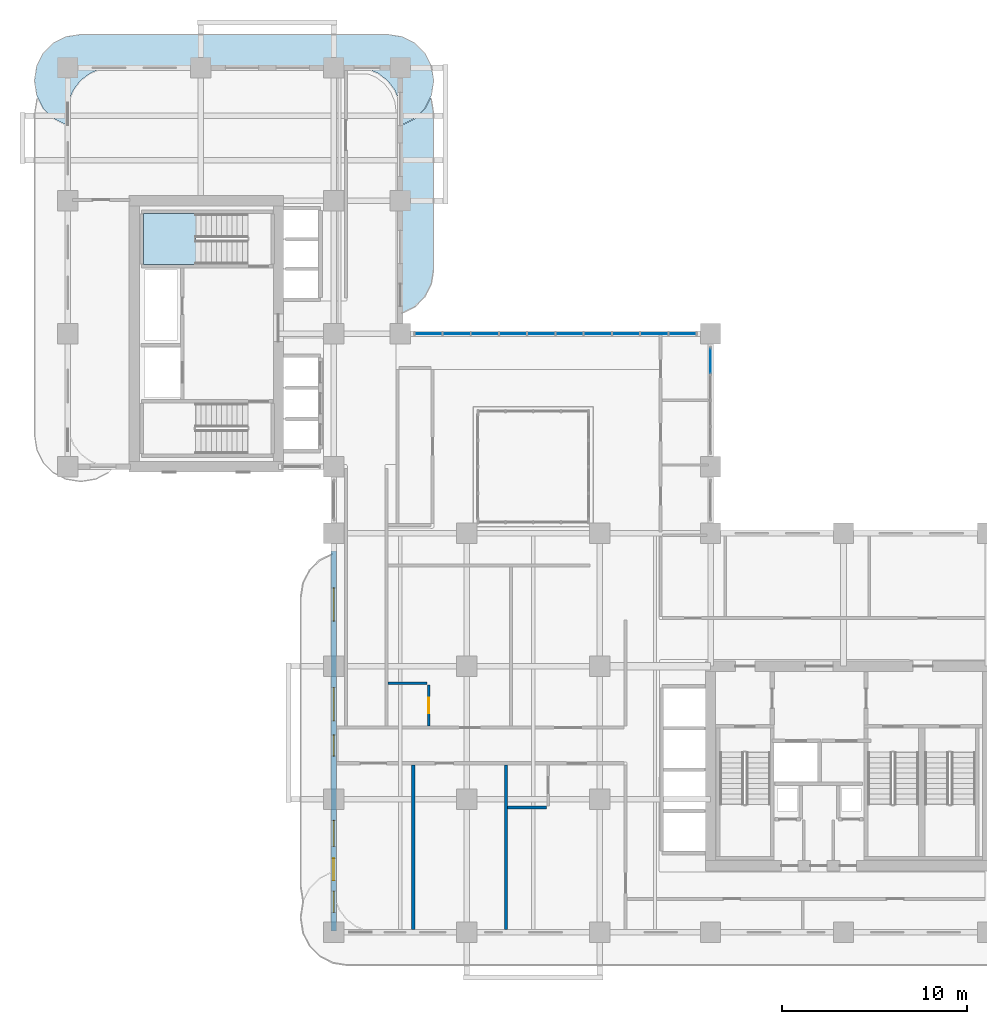
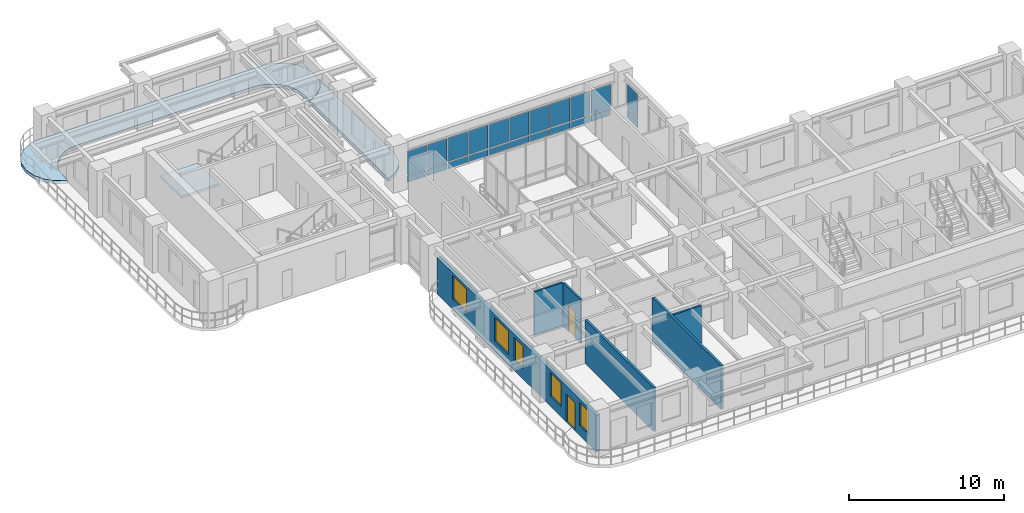
# One storey, part 11 of 22: 22 plates, 6 walls, 5 windows, 3 slabs, 2 doors, 7 openings, 3 elements without a shape of their own.
"""IFC4 building model written with IfcOpenShell, lengths in metres."""

from ifc_helpers import new_model, si_unit, derived_unit, direction, frame, frame_2d, origin, origin_2d, place, context, subcontext, project, spatial, polyline, rectangle, outline, extrude, source, transform, mapped, material, layer, layer_set, type_object, type_shapes, element, fill, aggregate, save


model = new_model("IFC4")

# Units and contexts
model_context = context("Model", 3, precision=1e-05, world=origin(), true_north=direction((0.0, 1.0)))
body_context = subcontext(model_context, "Body", "Model", "MODEL_VIEW")
ifc_project = project(units=[si_unit("LENGTHUNIT", "METRE"), si_unit("AREAUNIT", "SQUARE_METRE"), si_unit("VOLUMEUNIT", "CUBIC_METRE"), si_unit("PLANEANGLEUNIT", "RADIAN"), si_unit("MASSUNIT", "GRAM", prefix="KILO"), si_unit("THERMODYNAMICTEMPERATUREUNIT", "KELVIN"), si_unit("POWERUNIT", "WATT"), derived_unit("THERMALTRANSMITTANCEUNIT", [(si_unit("POWERUNIT", "WATT"), 1), (si_unit("AREAUNIT", "SQUARE_METRE"), -1), (si_unit("THERMODYNAMICTEMPERATUREUNIT", "KELVIN"), -1)])], contexts=[model_context])

# Site, building, storey
site_placement = place(None, origin())
site = spatial("IfcSite", under=ifc_project, at=site_placement, CompositionType="ELEMENT")
building_placement = place(site_placement, origin())
building = spatial("IfcBuilding", under=site, at=building_placement, Name="Zahravan Archway Hotel and Residences", CompositionType="ELEMENT")
storey_placement = place(building_placement, frame((0.0, 0.0, 95.300048828125)))
storey = spatial("IfcBuildingStorey", under=building, at=storey_placement, Name="L23", CompositionType="ELEMENT", Elevation=95.300048828125)

# Slabs
ifc_material_1 = material(Name="Concrete C45/55", Category="concrete")
ifc_layer_1 = layer(ifc_material_1, 0.25, Name="Concrete C45/55", Category="concrete")
ifc_layer_set_1 = layer_set([ifc_layer_1], Name="Concrete C45/55")
slab_type_1 = type_object("IfcSlabType", Name="SLB-BALC-250", PredefinedType="FLOOR", material=ifc_layer_set_1)
slab_1_placement = place(storey_placement, frame((0.0, 0.0, -0.25)))
element("IfcSlab", 1, at=slab_1_placement, inside=storey, type_object=slab_type_1, Name="L23 Wing B North Rounded Balcony Band", PredefinedType="FLOOR", context=body_context, shape_type="SweptSolid", body=[
    extrude(outline(polyline([(-0.107177734375, 43.719970703125), (-0.7900390625, 44.06787109375), (-1.33203125, 44.60986328125), (-1.68017578125, 45.29296875), (-1.800048828125, 46.050048828125), (-1.800048828125, 46.14990234375), (-1.68017578125, 46.906982421875), (-1.33203125, 47.590087890625), (-0.7900390625, 48.132080078125), (-0.107177734375, 48.47998046875), (0.64990234375, 48.60009765625), (17.35009765625, 48.60009765625), (18.107177734375, 48.47998046875), (18.7900390625, 48.132080078125), (19.33203125, 47.590087890625), (19.68017578125, 46.906982421875), (19.800048828125, 46.14990234375), (19.800048828125, 46.050048828125), (19.68017578125, 45.29296875), (19.33203125, 44.60986328125), (18.7900390625, 44.06787109375), (18.107177734375, 43.719970703125), (18.02001953125, 43.7060546875), (18.02001953125, 44.39990234375), (18.019775390625, 44.402587890625), (17.93798828125, 45.023681640625), (17.937744140625, 45.025390625), (17.937255859375, 45.027099609375), (17.936767578125, 45.02880859375), (17.697021484375, 45.607666015625), (17.6962890625, 45.609130859375), (17.6953125, 45.610595703125), (17.6943359375, 45.6123046875), (17.31298828125, 46.109375), (17.311767578125, 46.110595703125), (17.310546875, 46.11181640625), (17.309326171875, 46.113037109375), (16.812255859375, 46.494384765625), (16.810791015625, 46.495361328125), (16.80908203125, 46.49609375), (16.8076171875, 46.4970703125), (16.22900390625, 46.73681640625), (16.227294921875, 46.7373046875), (16.2255859375, 46.73779296875), (16.223876953125, 46.738037109375), (15.6025390625, 46.81982421875), (15.60009765625, 46.820068359375), (2.39990234375, 46.820068359375), (2.3974609375, 46.81982421875), (1.776123046875, 46.738037109375), (1.7744140625, 46.73779296875), (1.772705078125, 46.7373046875), (1.77099609375, 46.73681640625), (1.1923828125, 46.4970703125), (1.19091796875, 46.49609375), (1.189208984375, 46.495361328125), (1.187744140625, 46.494384765625), (0.690673828125, 46.113037109375), (0.689453125, 46.11181640625), (0.688232421875, 46.110595703125), (0.68701171875, 46.109375), (0.3056640625, 45.6123046875), (0.3046875, 45.610595703125), (0.3037109375, 45.609130859375), (0.302978515625, 45.607666015625), (0.063232421875, 45.02880859375), (0.062744140625, 45.027099609375), (0.062255859375, 45.025390625), (0.06201171875, 45.023681640625), (-0.019775390625, 44.402587890625), (-0.02001953125, 44.39990234375), (-0.02001953125, 43.7060546875), (-0.107177734375, 43.719970703125)])), origin(), (0.0, 0.0, 1.0), 0.25),
])
slab_2_placement = place(storey_placement, frame((0.0, 0.0, -0.25)))
element("IfcSlab", 2, at=slab_2_placement, inside=storey, type_object=slab_type_1, Name="L23 Wing B East Rounded Balcony Band", PredefinedType="FLOOR", context=body_context, shape_type="SweptSolid", body=[
    extrude(outline(polyline([(19.68017578125, 45.107177734375), (19.800048828125, 44.35009765625), (19.800048828125, 35.85009765625), (19.68017578125, 35.093017578125), (19.33203125, 34.409912109375), (18.7900390625, 33.867919921875), (18.107177734375, 33.52001953125), (18.02001953125, 33.506103515625), (18.02001953125, 43.68603515625), (18.021240234375, 43.68603515625), (18.023193359375, 43.686279296875), (18.110107421875, 43.7001953125), (18.1123046875, 43.70068359375), (18.1142578125, 43.701171875), (18.1162109375, 43.7021484375), (18.79931640625, 44.050048828125), (18.801025390625, 44.051025390625), (18.802734375, 44.052490234375), (18.80419921875, 44.0537109375), (19.34619140625, 44.595703125), (19.34765625, 44.597412109375), (19.348876953125, 44.59912109375), (19.349853515625, 44.600830078125), (19.64404296875, 45.177978515625), (19.68017578125, 45.107177734375)])), origin(), (0.0, 0.0, 1.0), 0.25),
])

# Stair, slab
ifc_material_2 = material(Name="Concrete C50/60", Category="concrete")
stair_type = type_object("IfcStairType", Name="STR-CORE-1300", PredefinedType="HALF_TURN_STAIR", material=ifc_material_2)
stair_placement = place(storey_placement, origin())
stair = element("IfcStair", 3, at=stair_placement, inside=storey, type_object=stair_type, Name="L23 Core B Exit Stair 2", PredefinedType="HALF_TURN_STAIR")
ifc_layer_2 = layer(ifc_material_2, 0.199951171875, Name="Concrete C50/60", Category="concrete")
ifc_layer_set_2 = layer_set([ifc_layer_2], Name="Concrete C50/60")
slab_type_2 = type_object("IfcSlabType", Name="SLB-LND-200", PredefinedType="LANDING", material=ifc_layer_set_2)
slab_3_placement = place(storey_placement, frame((0.0, 0.0, 1.64990234375)))
slab_3 = element("IfcSlab", 4, at=slab_3_placement, type_object=slab_type_2, Name="ST-B2 landing 1", PredefinedType="LANDING", context=body_context, shape_type="SweptSolid", body=[
    extrude(outline(polyline([(6.929931640625, 38.89990234375), (4.10009765625, 38.89990234375), (4.10009765625, 36.159912109375), (6.929931640625, 36.159912109375), (6.929931640625, 38.89990234375)])), origin(), (0.0, 0.0, 1.0), 0.199951171875),
])
aggregate(stair, [slab_3])

# Curtain wall, plates
ifc_material_3 = material(Name="Bronze-Anodized Unitised Aluminium & Low-E Glass", Category="aluminium")
ifc_layer_3 = layer(ifc_material_3, 0.179931640625, Name="Bronze-Anodized Unitised Aluminium & Low-E Glass", Category="aluminium")
ifc_layer_set_3 = layer_set([ifc_layer_3], Name="Bronze-Anodized Unitised Aluminium & Low-E Glass")
curtain_wall_type = type_object("IfcCurtainWallType", Name="CW-ATR-GLAZ", PredefinedType="NOTDEFINED", material=ifc_layer_set_3)
curtain_wall_1_placement = place(storey_placement, origin())
curtain_wall_1 = element("IfcCurtainWall", 5, at=curtain_wall_1_placement, inside=storey, type_object=curtain_wall_type, Name="L23 Curtain Wall CW-L23-HNG-E-2", PredefinedType="NOTDEFINED")
ifc_material_4 = material(Name="Insulated Terracotta Spandrel Panel", Category="masonry")
ifc_layer_4 = layer(ifc_material_4, 0.0400390625, Name="Insulated Terracotta Spandrel Panel", Category="masonry")
ifc_layer_set_4 = layer_set([ifc_layer_4], Name="Insulated Terracotta Spandrel Panel")
plate_type_1 = type_object("IfcPlateType", Name="CWP-SPN-40", PredefinedType="SHEET", material=ifc_layer_set_4)
shared_shape_1 = source(origin(), body_context, "Body", "SweptSolid", [
    extrude(rectangle(XDim=1.340087890625, YDim=0.0400390625, at=origin_2d()), origin(), (0.0, 0.0, 1.0), 0.552490234375),
])
plate_1_placement = place(storey_placement, frame((34.800048828125, 30.929931640625, 0.10009765625), z_axis=(0.0, 0.0, 1.0), x_axis=(0.0, 1.0, 0.0)))
plate_1 = element("IfcPlate", 6, at=plate_1_placement, type_object=plate_type_1, Name="CW-L23-HNG-E-2 Spandrel Panel 3", PredefinedType="SHEET", context=body_context, shape_type="MappedRepresentation", body=[
    mapped(shared_shape_1, transform((0.0, 0.0, 0.0), scale=1.0)),
])
ifc_material_5 = material(Name="Double-Silver Low-E Insulated Vision Glass", Category="glass")
ifc_layer_5 = layer(ifc_material_5, 0.028076171875, Name="Double-Silver Low-E Insulated Vision Glass", Category="glass")
ifc_layer_set_5 = layer_set([ifc_layer_5], Name="Double-Silver Low-E Insulated Vision Glass")
plate_type_2 = type_object("IfcPlateType", Name="CWP-GLZ-28", PredefinedType="CURTAIN_PANEL", material=ifc_layer_set_5)
shared_shape_2 = source(origin(), body_context, "Body", "SweptSolid", [
    extrude(rectangle(XDim=1.340087890625, YDim=0.028076171875, at=origin_2d()), origin(), (0.0, 0.0, 1.0), 2.052490234375),
])
plate_2_placement = place(storey_placement, frame((34.800048828125, 30.929931640625, 0.732421875), z_axis=(0.0, 0.0, 1.0), x_axis=(0.0, 1.0, 0.0)))
plate_2 = element("IfcPlate", 7, at=plate_2_placement, type_object=plate_type_2, Name="CW-L23-HNG-E-2 Low-E Vision Panel 3", PredefinedType="CURTAIN_PANEL", context=body_context, shape_type="MappedRepresentation", body=[
    mapped(shared_shape_2, transform((0.0, 0.0, 0.0), scale=1.0)),
])
aggregate(curtain_wall_1, [plate_1, plate_2])

curtain_wall_2_placement = place(storey_placement, origin())
curtain_wall_2 = element("IfcCurtainWall", 8, at=curtain_wall_2_placement, inside=storey, type_object=curtain_wall_type, Name="L23 Curtain Wall CW-L23-HNG-N-1", PredefinedType="NOTDEFINED")
shared_shape_3 = source(origin(), body_context, "Body", "SweptSolid", [
    extrude(rectangle(XDim=1.447998046875, YDim=0.0400390625, at=origin_2d()), origin(), (0.0, 0.0, 1.0), 0.492431640625),
])
plate_3_placement = place(storey_placement, frame((19.52392578125, 32.39990234375, 0.10009765625), z_axis=(0.0, 0.0, 1.0), x_axis=(1.0, 0.0, 0.0)))
plate_3 = element("IfcPlate", 9, at=plate_3_placement, type_object=plate_type_1, Name="CW-L23-HNG-N-1 Spandrel Panel 0", PredefinedType="SHEET", context=body_context, shape_type="MappedRepresentation", body=[
    mapped(shared_shape_3, transform((0.0, 0.0, 0.0), scale=1.0)),
])
plate_4_placement = place(storey_placement, frame((21.052001953125, 32.39990234375, 0.10009765625), z_axis=(0.0, 0.0, 1.0), x_axis=(1.0, 0.0, 0.0)))
plate_4 = element("IfcPlate", 10, at=plate_4_placement, type_object=plate_type_1, Name="CW-L23-HNG-N-1 Spandrel Panel 1", PredefinedType="SHEET", context=body_context, shape_type="MappedRepresentation", body=[
    mapped(shared_shape_3, transform((0.0, 0.0, 0.0), scale=1.0)),
])
plate_5_placement = place(storey_placement, frame((22.580078125, 32.39990234375, 0.10009765625), z_axis=(0.0, 0.0, 1.0), x_axis=(1.0, 0.0, 0.0)))
plate_5 = element("IfcPlate", 11, at=plate_5_placement, type_object=plate_type_1, Name="CW-L23-HNG-N-1 Spandrel Panel 2", PredefinedType="SHEET", context=body_context, shape_type="MappedRepresentation", body=[
    mapped(shared_shape_3, transform((0.0, 0.0, 0.0), scale=1.0)),
])
plate_6_placement = place(storey_placement, frame((24.10791015625, 32.39990234375, 0.10009765625), z_axis=(0.0, 0.0, 1.0), x_axis=(1.0, 0.0, 0.0)))
plate_6 = element("IfcPlate", 12, at=plate_6_placement, type_object=plate_type_1, Name="CW-L23-HNG-N-1 Spandrel Panel 3", PredefinedType="SHEET", context=body_context, shape_type="MappedRepresentation", body=[
    mapped(shared_shape_3, transform((0.0, 0.0, 0.0), scale=1.0)),
])
plate_7_placement = place(storey_placement, frame((25.635986328125, 32.39990234375, 0.10009765625), z_axis=(0.0, 0.0, 1.0), x_axis=(1.0, 0.0, 0.0)))
plate_7 = element("IfcPlate", 13, at=plate_7_placement, type_object=plate_type_1, Name="CW-L23-HNG-N-1 Spandrel Panel 4", PredefinedType="SHEET", context=body_context, shape_type="MappedRepresentation", body=[
    mapped(shared_shape_3, transform((0.0, 0.0, 0.0), scale=1.0)),
])
plate_8_placement = place(storey_placement, frame((27.1640625, 32.39990234375, 0.10009765625), z_axis=(0.0, 0.0, 1.0), x_axis=(1.0, 0.0, 0.0)))
plate_8 = element("IfcPlate", 14, at=plate_8_placement, type_object=plate_type_1, Name="CW-L23-HNG-N-1 Spandrel Panel 5", PredefinedType="SHEET", context=body_context, shape_type="MappedRepresentation", body=[
    mapped(shared_shape_3, transform((0.0, 0.0, 0.0), scale=1.0)),
])
plate_9_placement = place(storey_placement, frame((28.69189453125, 32.39990234375, 0.10009765625), z_axis=(0.0, 0.0, 1.0), x_axis=(1.0, 0.0, 0.0)))
plate_9 = element("IfcPlate", 15, at=plate_9_placement, type_object=plate_type_1, Name="CW-L23-HNG-N-1 Spandrel Panel 6", PredefinedType="SHEET", context=body_context, shape_type="MappedRepresentation", body=[
    mapped(shared_shape_3, transform((0.0, 0.0, 0.0), scale=1.0)),
])
plate_10_placement = place(storey_placement, frame((30.219970703125, 32.39990234375, 0.10009765625), z_axis=(0.0, 0.0, 1.0), x_axis=(1.0, 0.0, 0.0)))
plate_10 = element("IfcPlate", 16, at=plate_10_placement, type_object=plate_type_1, Name="CW-L23-HNG-N-1 Spandrel Panel 7", PredefinedType="SHEET", context=body_context, shape_type="MappedRepresentation", body=[
    mapped(shared_shape_3, transform((0.0, 0.0, 0.0), scale=1.0)),
])
plate_11_placement = place(storey_placement, frame((31.748046875, 32.39990234375, 0.10009765625), z_axis=(0.0, 0.0, 1.0), x_axis=(1.0, 0.0, 0.0)))
plate_11 = element("IfcPlate", 17, at=plate_11_placement, type_object=plate_type_1, Name="CW-L23-HNG-N-1 Spandrel Panel 8", PredefinedType="SHEET", context=body_context, shape_type="MappedRepresentation", body=[
    mapped(shared_shape_3, transform((0.0, 0.0, 0.0), scale=1.0)),
])
plate_12_placement = place(storey_placement, frame((33.27587890625, 32.39990234375, 0.10009765625), z_axis=(0.0, 0.0, 1.0), x_axis=(1.0, 0.0, 0.0)))
plate_12 = element("IfcPlate", 18, at=plate_12_placement, type_object=plate_type_1, Name="CW-L23-HNG-N-1 Spandrel Panel 9", PredefinedType="SHEET", context=body_context, shape_type="MappedRepresentation", body=[
    mapped(shared_shape_3, transform((0.0, 0.0, 0.0), scale=1.0)),
])
shared_shape_4 = source(origin(), body_context, "Body", "SweptSolid", [
    extrude(rectangle(XDim=1.447998046875, YDim=0.028076171875, at=origin_2d()), origin(), (0.0, 0.0, 1.0), 1.862548828125),
])
plate_13_placement = place(storey_placement, frame((19.52392578125, 32.39990234375, 0.67236328125), z_axis=(0.0, 0.0, 1.0), x_axis=(1.0, 0.0, 0.0)))
plate_13 = element("IfcPlate", 19, at=plate_13_placement, type_object=plate_type_2, Name="CW-L23-HNG-N-1 Low-E Vision Panel 0", PredefinedType="CURTAIN_PANEL", context=body_context, shape_type="MappedRepresentation", body=[
    mapped(shared_shape_4, transform((0.0, 0.0, 0.0), scale=1.0)),
])
plate_14_placement = place(storey_placement, frame((21.052001953125, 32.39990234375, 0.67236328125), z_axis=(0.0, 0.0, 1.0), x_axis=(1.0, 0.0, 0.0)))
plate_14 = element("IfcPlate", 20, at=plate_14_placement, type_object=plate_type_2, Name="CW-L23-HNG-N-1 Low-E Vision Panel 1", PredefinedType="CURTAIN_PANEL", context=body_context, shape_type="MappedRepresentation", body=[
    mapped(shared_shape_4, transform((0.0, 0.0, 0.0), scale=1.0)),
])
plate_15_placement = place(storey_placement, frame((22.580078125, 32.39990234375, 0.67236328125), z_axis=(0.0, 0.0, 1.0), x_axis=(1.0, 0.0, 0.0)))
plate_15 = element("IfcPlate", 21, at=plate_15_placement, type_object=plate_type_2, Name="CW-L23-HNG-N-1 Low-E Vision Panel 2", PredefinedType="CURTAIN_PANEL", context=body_context, shape_type="MappedRepresentation", body=[
    mapped(shared_shape_4, transform((0.0, 0.0, 0.0), scale=1.0)),
])
plate_16_placement = place(storey_placement, frame((24.10791015625, 32.39990234375, 0.67236328125), z_axis=(0.0, 0.0, 1.0), x_axis=(1.0, 0.0, 0.0)))
plate_16 = element("IfcPlate", 22, at=plate_16_placement, type_object=plate_type_2, Name="CW-L23-HNG-N-1 Low-E Vision Panel 3", PredefinedType="CURTAIN_PANEL", context=body_context, shape_type="MappedRepresentation", body=[
    mapped(shared_shape_4, transform((0.0, 0.0, 0.0), scale=1.0)),
])
plate_17_placement = place(storey_placement, frame((25.635986328125, 32.39990234375, 0.67236328125), z_axis=(0.0, 0.0, 1.0), x_axis=(1.0, 0.0, 0.0)))
plate_17 = element("IfcPlate", 23, at=plate_17_placement, type_object=plate_type_2, Name="CW-L23-HNG-N-1 Low-E Vision Panel 4", PredefinedType="CURTAIN_PANEL", context=body_context, shape_type="MappedRepresentation", body=[
    mapped(shared_shape_4, transform((0.0, 0.0, 0.0), scale=1.0)),
])
plate_18_placement = place(storey_placement, frame((27.1640625, 32.39990234375, 0.67236328125), z_axis=(0.0, 0.0, 1.0), x_axis=(1.0, 0.0, 0.0)))
plate_18 = element("IfcPlate", 24, at=plate_18_placement, type_object=plate_type_2, Name="CW-L23-HNG-N-1 Low-E Vision Panel 5", PredefinedType="CURTAIN_PANEL", context=body_context, shape_type="MappedRepresentation", body=[
    mapped(shared_shape_4, transform((0.0, 0.0, 0.0), scale=1.0)),
])
plate_19_placement = place(storey_placement, frame((28.69189453125, 32.39990234375, 0.67236328125), z_axis=(0.0, 0.0, 1.0), x_axis=(1.0, 0.0, 0.0)))
plate_19 = element("IfcPlate", 25, at=plate_19_placement, type_object=plate_type_2, Name="CW-L23-HNG-N-1 Low-E Vision Panel 6", PredefinedType="CURTAIN_PANEL", context=body_context, shape_type="MappedRepresentation", body=[
    mapped(shared_shape_4, transform((0.0, 0.0, 0.0), scale=1.0)),
])
plate_20_placement = place(storey_placement, frame((30.219970703125, 32.39990234375, 0.67236328125), z_axis=(0.0, 0.0, 1.0), x_axis=(1.0, 0.0, 0.0)))
plate_20 = element("IfcPlate", 26, at=plate_20_placement, type_object=plate_type_2, Name="CW-L23-HNG-N-1 Low-E Vision Panel 7", PredefinedType="CURTAIN_PANEL", context=body_context, shape_type="MappedRepresentation", body=[
    mapped(shared_shape_4, transform((0.0, 0.0, 0.0), scale=1.0)),
])
plate_21_placement = place(storey_placement, frame((31.748046875, 32.39990234375, 0.67236328125), z_axis=(0.0, 0.0, 1.0), x_axis=(1.0, 0.0, 0.0)))
plate_21 = element("IfcPlate", 27, at=plate_21_placement, type_object=plate_type_2, Name="CW-L23-HNG-N-1 Low-E Vision Panel 8", PredefinedType="CURTAIN_PANEL", context=body_context, shape_type="MappedRepresentation", body=[
    mapped(shared_shape_4, transform((0.0, 0.0, 0.0), scale=1.0)),
])
plate_22_placement = place(storey_placement, frame((33.27587890625, 32.39990234375, 0.67236328125), z_axis=(0.0, 0.0, 1.0), x_axis=(1.0, 0.0, 0.0)))
plate_22 = element("IfcPlate", 28, at=plate_22_placement, type_object=plate_type_2, Name="CW-L23-HNG-N-1 Low-E Vision Panel 9", PredefinedType="CURTAIN_PANEL", context=body_context, shape_type="MappedRepresentation", body=[
    mapped(shared_shape_4, transform((0.0, 0.0, 0.0), scale=1.0)),
])
aggregate(curtain_wall_2, [plate_3, plate_13, plate_4, plate_14, plate_5, plate_15, plate_6, plate_16, plate_7, plate_17, plate_8, plate_18, plate_9, plate_19, plate_10, plate_20, plate_11, plate_21, plate_12, plate_22])

# Wall, openings, door, windows
ifc_material_6 = material(Name="Honed Red-Ochre Sandstone & Insulated Block", Category="masonry")
ifc_layer_6 = layer(ifc_material_6, 0.280029296875, Name="Honed Red-Ochre Sandstone & Insulated Block", Category="masonry")
ifc_layer_set_6 = layer_set([ifc_layer_6], Name="Honed Red-Ochre Sandstone & Insulated Block")
wall_type_1 = type_object("IfcWallType", Name="EW-LOG-280", PredefinedType="SOLIDWALL", material=ifc_layer_set_6)
wall_1_placement = place(storey_placement, frame((14.39990234375, 0.050048828125, 0.0), z_axis=(0.0, 0.0, 1.0), x_axis=(0.0, 1.0, 0.0)))
wall_1 = element("IfcWall", 29, at=wall_1_placement, inside=storey, type_object=wall_type_1, Name="L23 Exterior Sandstone Wall WA-WL", PredefinedType="SOLIDWALL", context=body_context, shape_type="SweptSolid", body=[
    extrude(rectangle(XDim=20.599853515625, YDim=0.280029296875, at=frame_2d((10.2998046875, 0.0))), origin(), (0.0, 0.0, 1.0), 2.885009765625),
])
opening_1_placement = place(wall_1_placement, frame((2.75, 0.0, 0.0)))
opening_1 = element("IfcOpeningElement", 30, at=opening_1_placement, cuts=wall_1, Name="Opening ED-BL1", PredefinedType="OPENING", context=body_context, shape_type="SweptSolid", body=[
    extrude(rectangle(XDim=1.199951171875, YDim=2.199951171875, at=frame_2d((0.60009765625, 1.10009765625))), frame((0.0, 0.14990234375, 0.0), z_axis=(0.0, -1.0, 0.0), x_axis=(1.0, 0.0, 0.0)), (0.0, 0.0, 1.0), 0.300048828125),
])
opening_2_placement = place(wall_1_placement, frame((1.02490234375, 0.0, 0.800048828125)))
opening_2 = element("IfcOpeningElement", 31, at=opening_2_placement, cuts=wall_1, Name="Opening W-05", PredefinedType="OPENING", context=body_context, shape_type="SweptSolid", body=[
    extrude(rectangle(XDim=1.14990234375, YDim=1.800048828125, at=frame_2d((0.574951171875, 0.89990234375))), frame((0.0, 0.14990234375, 0.0), z_axis=(0.0, -1.0, 0.0), x_axis=(1.0, 0.0, 0.0)), (0.0, 0.0, 1.0), 0.300048828125),
])
opening_3_placement = place(wall_1_placement, frame((4.60009765625, 0.0, 0.800048828125)))
opening_3 = element("IfcOpeningElement", 32, at=opening_3_placement, cuts=wall_1, Name="Opening W-03", PredefinedType="OPENING", context=body_context, shape_type="SweptSolid", body=[
    extrude(rectangle(XDim=1.39990234375, YDim=1.85009765625, at=frame_2d((0.699951171875, 0.925048828125))), frame((0.0, 0.14990234375, 0.0), z_axis=(0.0, -1.0, 0.0), x_axis=(1.0, 0.0, 0.0)), (0.0, 0.0, 1.0), 0.300048828125),
])
opening_4_placement = place(wall_1_placement, frame((9.485107421875, 0.0, 0.800048828125)))
opening_4 = element("IfcOpeningElement", 33, at=opening_4_placement, cuts=wall_1, Name="Opening W-05", PredefinedType="OPENING", context=body_context, shape_type="SweptSolid", body=[
    extrude(rectangle(XDim=1.14990234375, YDim=1.800048828125, at=frame_2d((0.574951171875, 0.89990234375))), frame((0.0, 0.14990234375, 0.0), z_axis=(0.0, -1.0, 0.0), x_axis=(1.0, 0.0, 0.0)), (0.0, 0.0, 1.0), 0.300048828125),
])
opening_5_placement = place(wall_1_placement, frame((11.388916015625, 0.0, 0.800048828125)))
opening_5 = element("IfcOpeningElement", 34, at=opening_5_placement, cuts=wall_1, Name="Opening W-02", PredefinedType="OPENING", context=body_context, shape_type="SweptSolid", body=[
    extrude(rectangle(XDim=1.800048828125, YDim=1.85009765625, at=frame_2d((0.89990234375, 0.925048828125))), frame((0.0, 0.14990234375, 0.0), z_axis=(0.0, -1.0, 0.0), x_axis=(1.0, 0.0, 0.0)), (0.0, 0.0, 1.0), 0.300048828125),
])
opening_6_placement = place(wall_1_placement, frame((16.7900390625, 0.0, 0.800048828125)))
opening_6 = element("IfcOpeningElement", 35, at=opening_6_placement, cuts=wall_1, Name="Opening W-02", PredefinedType="OPENING", context=body_context, shape_type="SweptSolid", body=[
    extrude(rectangle(XDim=1.800048828125, YDim=1.85009765625, at=frame_2d((0.89990234375, 0.925048828125))), frame((0.0, 0.14990234375, 0.0), z_axis=(0.0, -1.0, 0.0), x_axis=(1.0, 0.0, 0.0)), (0.0, 0.0, 1.0), 0.300048828125),
])
ifc_material_7 = material(Name="Bronze-Anodized Glazed Aluminium", Category="aluminium")
door_type_1 = type_object("IfcDoorType", Name="ED-BALC-1200", OperationType="SLIDING_TO_LEFT", PredefinedType="DOOR", material=ifc_material_7)
shared_shape_5 = source(origin(), body_context, "Body", "SweptSolid", [
    extrude(rectangle(XDim=1.199951171875, YDim=2.199951171875, at=frame_2d((0.60009765625, 1.10009765625))), frame((0.0, 0.02490234375, 0.0), z_axis=(0.0, -1.0, 0.0), x_axis=(1.0, 0.0, 0.0)), (0.0, 0.0, 1.0), 0.050048828125),
])
type_shapes(door_type_1, [shared_shape_5])
door_1_placement = place(opening_1_placement, origin())
door_1 = element("IfcDoor", 36, at=door_1_placement, inside=storey, type_object=door_type_1, Name="L23 Outdoor Access Sliding Door (SLB-BAL-L23-WA)", OperationType="SLIDING_TO_LEFT", OverallHeight=2.199951171875, OverallWidth=1.199951171875, PredefinedType="DOOR", context=body_context, shape_type="MappedRepresentation", body=[
    mapped(shared_shape_5, transform((0.0, 0.0, 0.0), scale=1.0)),
])
fill(opening_1, door_1)
ifc_material_8 = material(Name="Bronze-Anodized Thermal-Break Aluminium & Low-E Glass", Category="aluminium")
window_type_1 = type_object("IfcWindowType", Name="WIN-TWR-1400", PartitioningType="SINGLE_PANEL", PredefinedType="WINDOW", material=ifc_material_8)
shared_shape_6 = source(origin(), body_context, "Body", "SweptSolid", [
    extrude(rectangle(XDim=1.39990234375, YDim=1.85009765625, at=frame_2d((0.699951171875, 0.925048828125))), frame((0.0, 0.030029296875, 0.0), z_axis=(0.0, -1.0, 0.0), x_axis=(1.0, 0.0, 0.0)), (0.0, 0.0, 1.0), 0.06005859375),
])
type_shapes(window_type_1, [shared_shape_6])
window_1_placement = place(opening_3_placement, origin())
window_1 = element("IfcWindow", 37, at=window_1_placement, inside=storey, type_object=window_type_1, Name="L23 Loggia Window 25", OverallHeight=1.85009765625, OverallWidth=1.39990234375, PartitioningType="SINGLE_PANEL", PredefinedType="WINDOW", context=body_context, shape_type="MappedRepresentation", body=[
    mapped(shared_shape_6, transform((0.0, 0.0, 0.0), scale=1.0)),
])
fill(opening_3, window_1)
window_type_2 = type_object("IfcWindowType", Name="WIN-TWR-1800", PartitioningType="DOUBLE_PANEL_VERTICAL", PredefinedType="WINDOW", material=ifc_material_8)
shared_shape_7 = source(origin(), body_context, "Body", "SweptSolid", [
    extrude(rectangle(XDim=1.800048828125, YDim=1.85009765625, at=frame_2d((0.89990234375, 0.925048828125))), frame((0.0, 0.030029296875, 0.0), z_axis=(0.0, -1.0, 0.0), x_axis=(1.0, 0.0, 0.0)), (0.0, 0.0, 1.0), 0.06005859375),
])
type_shapes(window_type_2, [shared_shape_7])
window_2_placement = place(opening_5_placement, origin())
window_2 = element("IfcWindow", 38, at=window_2_placement, inside=storey, type_object=window_type_2, Name="L23 Loggia Window 27", OverallHeight=1.85009765625, OverallWidth=1.800048828125, PartitioningType="DOUBLE_PANEL_VERTICAL", PredefinedType="WINDOW", context=body_context, shape_type="MappedRepresentation", body=[
    mapped(shared_shape_7, transform((0.0, 0.0, 0.0), scale=1.0)),
])
fill(opening_5, window_2)
window_3_placement = place(opening_6_placement, origin())
window_3 = element("IfcWindow", 39, at=window_3_placement, inside=storey, type_object=window_type_2, Name="L23 Loggia Window 28", OverallHeight=1.85009765625, OverallWidth=1.800048828125, PartitioningType="DOUBLE_PANEL_VERTICAL", PredefinedType="WINDOW", context=body_context, shape_type="MappedRepresentation", body=[
    mapped(shared_shape_7, transform((0.0, 0.0, 0.0), scale=1.0)),
])
fill(opening_6, window_3)
window_type_3 = type_object("IfcWindowType", Name="WIN-TWR-1150", PartitioningType="SINGLE_PANEL", PredefinedType="WINDOW", material=ifc_material_8)
shared_shape_8 = source(origin(), body_context, "Body", "SweptSolid", [
    extrude(rectangle(XDim=1.14990234375, YDim=1.800048828125, at=frame_2d((0.574951171875, 0.89990234375))), frame((0.0, 0.030029296875, 0.0), z_axis=(0.0, -1.0, 0.0), x_axis=(1.0, 0.0, 0.0)), (0.0, 0.0, 1.0), 0.06005859375),
])
type_shapes(window_type_3, [shared_shape_8])
window_4_placement = place(opening_2_placement, origin())
window_4 = element("IfcWindow", 40, at=window_4_placement, inside=storey, type_object=window_type_3, Name="L23 Loggia Window 24", OverallHeight=1.800048828125, OverallWidth=1.14990234375, PartitioningType="SINGLE_PANEL", PredefinedType="WINDOW", context=body_context, shape_type="MappedRepresentation", body=[
    mapped(shared_shape_8, transform((0.0, 0.0, 0.0), scale=1.0)),
])
fill(opening_2, window_4)
window_5_placement = place(opening_4_placement, origin())
window_5 = element("IfcWindow", 41, at=window_5_placement, inside=storey, type_object=window_type_3, Name="L23 Loggia Window 26", OverallHeight=1.800048828125, OverallWidth=1.14990234375, PartitioningType="SINGLE_PANEL", PredefinedType="WINDOW", context=body_context, shape_type="MappedRepresentation", body=[
    mapped(shared_shape_8, transform((0.0, 0.0, 0.0), scale=1.0)),
])
fill(opening_4, window_5)

# Walls
ifc_material_9 = material(Name="Acoustic Stud Partition")
ifc_layer_7 = layer(ifc_material_9, 0.169921875, Name="Acoustic Stud Partition")
ifc_layer_set_7 = layer_set([ifc_layer_7], Name="Acoustic Stud Partition")
wall_type_2 = type_object("IfcWallType", Name="PW-UNIT-170", PredefinedType="PARTITIONING", material=ifc_layer_set_7)
for number, where, z_axis, x_axis, name in (
    (42, (18.699951171875, 0.14794921875, 0.0), (0.0, 0.0, 1.0), (0.0, 1.0, 0.0), "L23 Partition WAS-2A"),
    (43, (23.719970703125, 0.14794921875, 0.0), (0.0, 0.0, 1.0), (0.0, 1.0, 0.0), "L23 Partition WAS-2B"),
):
    element("IfcWall", number, at=place(storey_placement, frame(where, z_axis=z_axis, x_axis=x_axis)), inside=storey, type_object=wall_type_2, Name=name, PredefinedType="PARTITIONING", context=body_context, shape_type="SweptSolid", body=[
        extrude(rectangle(XDim=8.912109375, YDim=0.169921875, at=frame_2d((4.4560546875, 0.0))), origin(), (0.0, 0.0, 1.0), 3.449951171875),
    ])
ifc_material_10 = material(Name="Moisture-Resistant Blockwork", Category="masonry")
ifc_layer_8 = layer(ifc_material_10, 0.139892578125, Name="Moisture-Resistant Blockwork", Category="masonry")
ifc_layer_set_8 = layer_set([ifc_layer_8], Name="Moisture-Resistant Blockwork")
wall_type_3 = type_object("IfcWallType", Name="PW-WET-140", PredefinedType="PARTITIONING", material=ifc_layer_set_8)
wall_2_placement = place(storey_placement, frame((23.81005859375, 6.75, 0.0), z_axis=(0.0, 0.0, 1.0), x_axis=(1.0, 0.0, 0.0)))
element("IfcWall", 44, at=wall_2_placement, inside=storey, type_object=wall_type_3, Name="L23 Partition HKB-H21", PredefinedType="PARTITIONING", context=body_context, shape_type="SweptSolid", body=[
    extrude(rectangle(XDim=2.119873046875, YDim=0.139892578125, at=frame_2d((1.06005859375, 0.0))), origin(), (0.0, 0.0, 1.0), 3.449951171875),
])

# Wall, opening, door
wall_3_placement = place(storey_placement, frame((19.550048828125, 11.159912109375, 0.0), z_axis=(0.0, 0.0, 1.0), x_axis=(0.0, 1.0, 0.0)))
wall_3 = element("IfcWall", 45, at=wall_3_placement, inside=storey, type_object=wall_type_3, Name="L23 Partition HKB-V52", PredefinedType="PARTITIONING", context=body_context, shape_type="SweptSolid", body=[
    extrude(rectangle(XDim=2.219970703125, YDim=0.139892578125, at=frame_2d((1.10986328125, 0.0))), origin(), (0.0, 0.0, 1.0), 3.449951171875),
])
opening_7_placement = place(wall_3_placement, frame((0.68505859375, 0.0, 0.0)))
opening_7 = element("IfcOpeningElement", 46, at=opening_7_placement, cuts=wall_3, Name="Opening D-B1", PredefinedType="OPENING", context=body_context, shape_type="SweptSolid", body=[
    extrude(rectangle(XDim=0.85009765625, YDim=2.10009765625, at=frame_2d((0.425048828125, 1.050048828125))), frame((0.0, 0.080078125, 0.0), z_axis=(0.0, -1.0, 0.0), x_axis=(1.0, 0.0, 0.0)), (0.0, 0.0, 1.0), 0.159912109375),
])
ifc_material_11 = material(Name="Hardwood Veneer Timber", Category="wood")
door_type_2 = type_object("IfcDoorType", Name="ID-BATH-850", OperationType="NOTDEFINED", PredefinedType="DOOR", material=ifc_material_11)
shared_shape_9 = source(origin(), body_context, "Body", "SweptSolid", [
    extrude(rectangle(XDim=0.85009765625, YDim=2.10009765625, at=frame_2d((0.425048828125, 1.050048828125))), frame((0.0, 0.02490234375, 0.0), z_axis=(0.0, -1.0, 0.0), x_axis=(1.0, 0.0, 0.0)), (0.0, 0.0, 1.0), 0.050048828125),
])
type_shapes(door_type_2, [shared_shape_9])
door_2_placement = place(opening_7_placement, origin())
door_2 = element("IfcDoor", 47, at=door_2_placement, inside=storey, type_object=door_type_2, Name="L23 Guestroom 52 En-Suite Door", OperationType="SINGLE_SWING_LEFT", OverallHeight=2.10009765625, OverallWidth=0.85009765625, PredefinedType="DOOR", context=body_context, shape_type="MappedRepresentation", body=[
    mapped(shared_shape_9, transform((0.0, 0.0, 0.0), scale=1.0)),
])
fill(opening_7, door_2)

# Wall
wall_4_placement = place(storey_placement, frame((17.340087890625, 13.469970703125, 0.0), z_axis=(0.0, 0.0, 1.0), x_axis=(1.0, 0.0, 0.0)))
element("IfcWall", 48, at=wall_4_placement, inside=storey, type_object=wall_type_3, Name="L23 Partition HKB-H52", PredefinedType="PARTITIONING", context=body_context, shape_type="SweptSolid", body=[
    extrude(rectangle(XDim=2.119873046875, YDim=0.139892578125, at=frame_2d((1.06005859375, 0.0))), origin(), (0.0, 0.0, 1.0), 3.449951171875),
])

save(model, "model.ifc")
